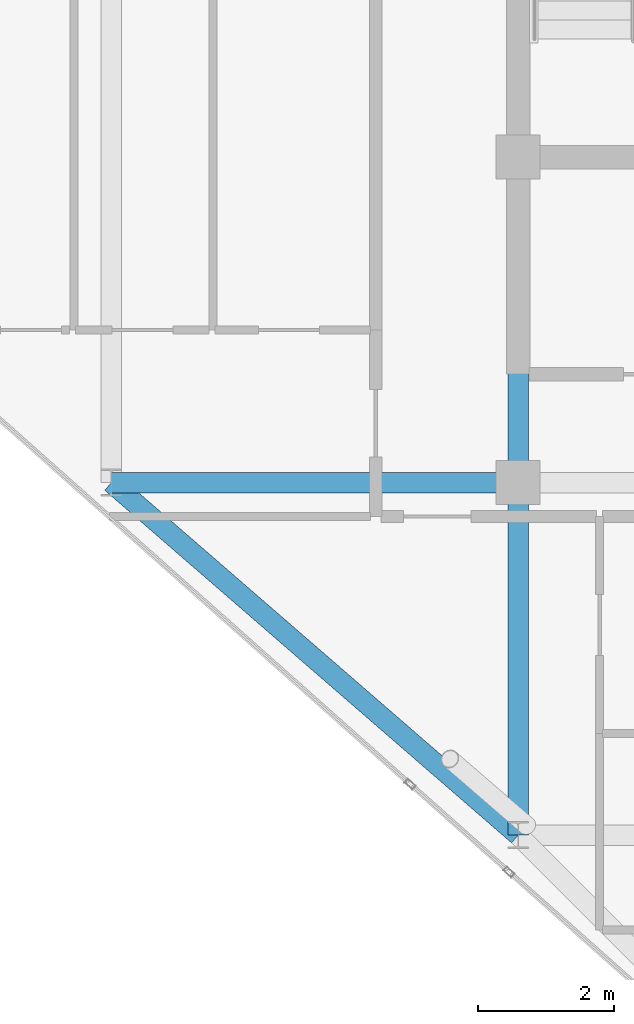
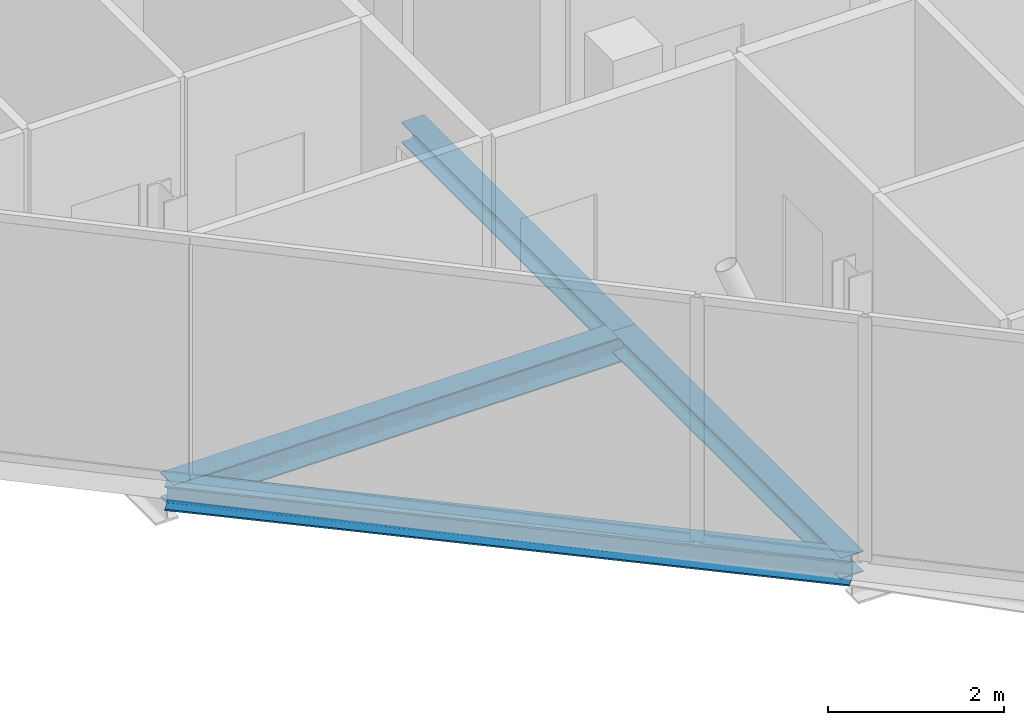
# One storey, part 5 of 27: 4 beams.
"""IFC4 building model written with IfcOpenShell, lengths in metres."""

from ifc_helpers import new_model, si_unit, direction, frame, origin, origin_2d, place, context, subcontext, project, spatial, i_section, extrude, material, material_profile, profile_set, type_object, element, save


model = new_model("IFC4")

# Units and contexts
model_context = context("Model", 3, precision=1e-05, world=origin(), true_north=direction((0.0, 1.0)))
body_context = subcontext(model_context, "Body", "Model", "MODEL_VIEW")
ifc_project = project(units=[si_unit("LENGTHUNIT", "METRE"), si_unit("AREAUNIT", "SQUARE_METRE"), si_unit("VOLUMEUNIT", "CUBIC_METRE"), si_unit("PLANEANGLEUNIT", "RADIAN"), si_unit("MASSUNIT", "GRAM", prefix="KILO")], contexts=[model_context])

# Site, building, storey
site_placement = place(None, origin())
site = spatial("IfcSite", under=ifc_project, at=site_placement, CompositionType="ELEMENT")
building_placement = place(site_placement, origin())
building = spatial("IfcBuilding", under=site, at=building_placement, Name="Keshet Zoharim Tower", CompositionType="ELEMENT")
storey_placement = place(building_placement, frame((0.0, 0.0, 291.699951171875)))
storey = spatial("IfcBuildingStorey", under=building, at=storey_placement, Name="L73", CompositionType="ELEMENT", Elevation=291.699951171875)

# Beams
ifc_material = material(Name="Steel S355", Category="steel")
ifc_material_profile_1 = material_profile(ifc_material, i_section(OverallWidth=0.300048828125, OverallDepth=0.2900390625, WebThickness=0.008544921875, FlangeThickness=0.013916015625, FilletRadius=0.027099609375, at=origin_2d()), Name="HEA300")
ifc_profile_set_1 = profile_set([ifc_material_profile_1], Name="Steel S355")
beam_type_1 = type_object("IfcBeamType", Name="BM-PRI-HA300", PredefinedType="BEAM", material=ifc_profile_set_1)
beam_1_placement = place(storey_placement, frame((15.0, 12.699951171875, -0.454833984375), z_axis=(0.0, 1.0, 0.0), x_axis=(-1.0, 0.0, 0.0)))
element("IfcBeam", 1, at=beam_1_placement, inside=storey, type_object=beam_type_1, Name="L73 Primary Girder Y-002", PredefinedType="BEAM", context=body_context, shape_type="SweptSolid", body=[
    extrude(i_section(OverallWidth=0.300048828125, OverallDepth=0.2900390625, WebThickness=0.008544921875, FlangeThickness=0.013916015625, FilletRadius=0.027099609375, at=origin_2d()), origin(), (0.0, 0.0, 1.0), 5.199951171875),
])
beam_2_placement = place(storey_placement, frame((15.0, 17.89990234375, -0.454833984375), z_axis=(0.0, 1.0, 0.0), x_axis=(-1.0, 0.0, 0.0)))
element("IfcBeam", 2, at=beam_2_placement, inside=storey, type_object=beam_type_1, Name="L73 Primary Girder Y-003", PredefinedType="BEAM", context=body_context, shape_type="SweptSolid", body=[
    extrude(i_section(OverallWidth=0.300048828125, OverallDepth=0.2900390625, WebThickness=0.008544921875, FlangeThickness=0.013916015625, FilletRadius=0.027099609375, at=origin_2d()), origin(), (0.0, 0.0, 1.0), 4.800048828125),
])
ifc_material_profile_2 = material_profile(ifc_material, i_section(OverallWidth=0.300048828125, OverallDepth=0.35009765625, WebThickness=0.010009765625, FlangeThickness=0.017578125, FilletRadius=0.027099609375, at=origin_2d()), Name="HEA360")
ifc_profile_set_2 = profile_set([ifc_material_profile_2], Name="Steel S355")
beam_type_2 = type_object("IfcBeamType", Name="BM-PRI-HA360", PredefinedType="BEAM", material=ifc_profile_set_2)
beam_3_placement = place(storey_placement, frame((9.0, 17.89990234375, -0.48486328125), z_axis=(1.0, 0.0, 0.0), x_axis=(0.0, 1.0, 0.0)))
element("IfcBeam", 3, at=beam_3_placement, inside=storey, type_object=beam_type_2, Name="L73 Primary Girder X-005", PredefinedType="BEAM", context=body_context, shape_type="SweptSolid", body=[
    extrude(i_section(OverallWidth=0.300048828125, OverallDepth=0.35009765625, WebThickness=0.010009765625, FlangeThickness=0.017578125, FilletRadius=0.027099609375, at=origin_2d()), origin(), (0.0, 0.0, 1.0), 6.0),
])
ifc_material_profile_3 = material_profile(ifc_material, i_section(OverallWidth=0.300048828125, OverallDepth=0.340087890625, WebThickness=0.011962890625, FlangeThickness=0.021484375, FilletRadius=0.027099609375, at=origin_2d()), Name="HEB340")
ifc_profile_set_3 = profile_set([ifc_material_profile_3], Name="Steel S355")
beam_type_3 = type_object("IfcBeamType", Name="BM-SPN-HB340", PredefinedType="SPANDREL", material=ifc_profile_set_3)
beam_4_placement = place(storey_placement, frame((9.0, 17.89990234375, -0.47998046875), z_axis=(0.755692126483, -0.654927026447, 0.0), x_axis=(0.654927026447, 0.755692126483, 0.0)))
element("IfcBeam", 4, at=beam_4_placement, inside=storey, type_object=beam_type_3, Name="L73 Perimeter Spandrel Beam 02", PredefinedType="SPANDREL", context=body_context, shape_type="SweptSolid", body=[
    extrude(i_section(OverallWidth=0.300048828125, OverallDepth=0.340087890625, WebThickness=0.011962890625, FlangeThickness=0.021484375, FilletRadius=0.027099609375, at=origin_2d()), origin(), (0.0, 0.0, 1.0), 7.939697265625),
])

save(model, "model.ifc")
